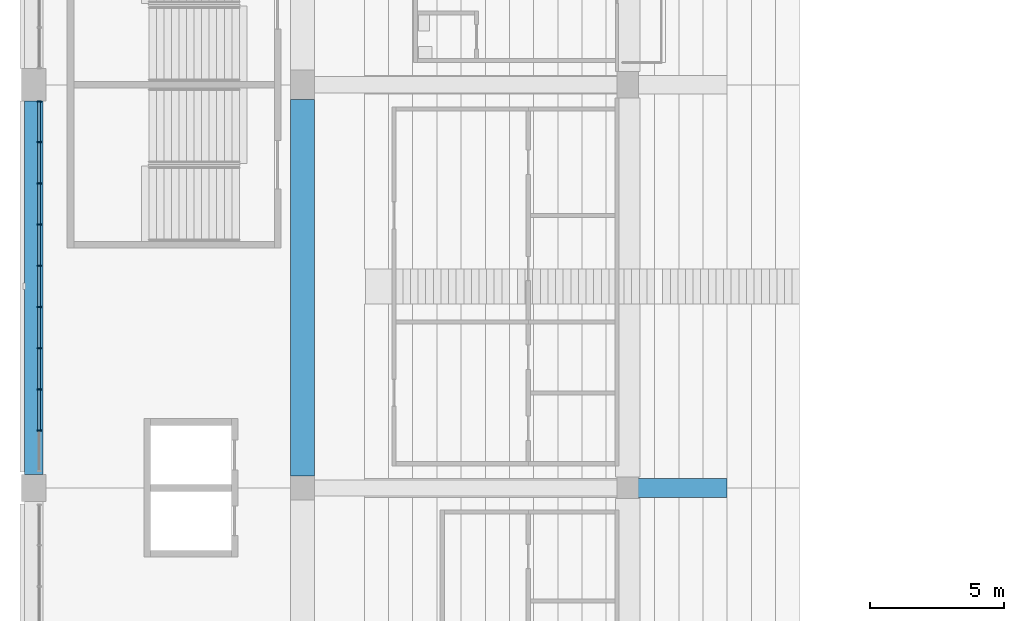
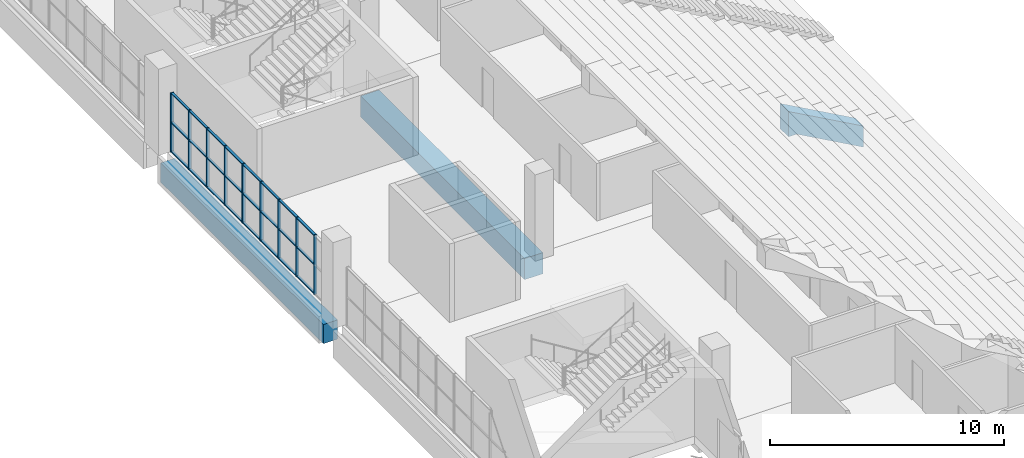
# One storey, part 23 of 249: 33 members, 3 beams, 1 element without a shape of its own.
"""IFC4 building model written with IfcOpenShell, lengths in metres."""

from ifc_helpers import new_model, si_unit, direction, frame, origin, origin_2d, place, context, subcontext, project, spatial, polyline, rectangle, outline, extrude, material, material_profile, profile_set, type_object, element, aggregate, save


model = new_model("IFC4")

# Units and contexts
model_context = context("Model", 3, precision=1e-05, world=origin(), true_north=direction((0.0, 1.0)))
body_context = subcontext(model_context, "Body", "Model", "MODEL_VIEW")
ifc_project = project(units=[si_unit("LENGTHUNIT", "METRE"), si_unit("AREAUNIT", "SQUARE_METRE"), si_unit("VOLUMEUNIT", "CUBIC_METRE"), si_unit("PLANEANGLEUNIT", "RADIAN"), si_unit("MASSUNIT", "GRAM", prefix="KILO")], contexts=[model_context])

# Site, building, storey
site_placement = place(None, origin())
site = spatial("IfcSite", under=ifc_project, at=site_placement, CompositionType="ELEMENT")
building_placement = place(site_placement, origin())
building = spatial("IfcBuilding", under=site, at=building_placement, Name="Ogive Plaza Stadium", CompositionType="ELEMENT")
storey_placement = place(building_placement, frame((0.0, 0.0, 13.5)))
storey = spatial("IfcBuildingStorey", under=building, at=storey_placement, Name="L03", CompositionType="ELEMENT", Elevation=13.5)

# Curtain wall, members
ifc_material_1 = material(Name="Bronze-anodised aluminium with laminated glass", Category="aluminium")
curtain_wall_type = type_object("IfcCurtainWallType", Name="Lancet curtain wall", PredefinedType="NOTDEFINED", material=ifc_material_1)
curtain_wall_placement = place(storey_placement, origin())
curtain_wall = element("IfcCurtainWall", 1, at=curtain_wall_placement, inside=storey, type_object=curtain_wall_type, Name="CURTAIN WALL B25 L03", PredefinedType="NOTDEFINED")
ifc_material_2 = material(Name="Bronze-anodised aluminium", Category="aluminium")
ifc_material_profile_1 = material_profile(ifc_material_2, rectangle(XDim=0.14990234375, YDim=0.050048828125, at=origin_2d()), Name="AL 150x50")
ifc_profile_set_1 = profile_set([ifc_material_profile_1], Name="Bronze-anodised aluminium")
member_type_1 = type_object("IfcMemberType", Name="Curtain wall mullion 50x150", PredefinedType="MULLION", material=ifc_profile_set_1)
member_1_placement = place(storey_placement, frame((-83.800048828125, 9.63330078125, 0.0), z_axis=(0.0, 0.0, 1.0), x_axis=(-1.0, 0.0, 0.0)))
member_1 = element("IfcMember", 2, at=member_1_placement, type_object=member_type_1, Name="CW-B25-L03 mullion 2", PredefinedType="MULLION", context=body_context, shape_type="SweptSolid", body=[
    extrude(rectangle(XDim=0.14990234375, YDim=0.050048828125, at=origin_2d()), origin(), (0.0, 0.0, 1.0), 3.090087890625),
])
member_2_placement = place(storey_placement, frame((-83.800048828125, 11.166748046875, 0.0), z_axis=(0.0, 0.0, 1.0), x_axis=(-1.0, 0.0, 0.0)))
member_2 = element("IfcMember", 3, at=member_2_placement, type_object=member_type_1, Name="CW-B25-L03 mullion 3", PredefinedType="MULLION", context=body_context, shape_type="SweptSolid", body=[
    extrude(rectangle(XDim=0.14990234375, YDim=0.050048828125, at=origin_2d()), origin(), (0.0, 0.0, 1.0), 3.090087890625),
])
member_3_placement = place(storey_placement, frame((-83.800048828125, 12.699951171875, 0.0), z_axis=(0.0, 0.0, 1.0), x_axis=(-1.0, 0.0, 0.0)))
member_3 = element("IfcMember", 4, at=member_3_placement, type_object=member_type_1, Name="CW-B25-L03 mullion 4", PredefinedType="MULLION", context=body_context, shape_type="SweptSolid", body=[
    extrude(rectangle(XDim=0.14990234375, YDim=0.050048828125, at=origin_2d()), origin(), (0.0, 0.0, 1.0), 3.090087890625),
])
member_4_placement = place(storey_placement, frame((-83.800048828125, 14.2333984375, 0.0), z_axis=(0.0, 0.0, 1.0), x_axis=(-1.0, 0.0, 0.0)))
member_4 = element("IfcMember", 5, at=member_4_placement, type_object=member_type_1, Name="CW-B25-L03 mullion 5", PredefinedType="MULLION", context=body_context, shape_type="SweptSolid", body=[
    extrude(rectangle(XDim=0.14990234375, YDim=0.050048828125, at=origin_2d()), origin(), (0.0, 0.0, 1.0), 3.090087890625),
])
member_5_placement = place(storey_placement, frame((-83.800048828125, 15.7666015625, 0.0), z_axis=(0.0, 0.0, 1.0), x_axis=(-1.0, 0.0, 0.0)))
member_5 = element("IfcMember", 6, at=member_5_placement, type_object=member_type_1, Name="CW-B25-L03 mullion 6", PredefinedType="MULLION", context=body_context, shape_type="SweptSolid", body=[
    extrude(rectangle(XDim=0.14990234375, YDim=0.050048828125, at=origin_2d()), origin(), (0.0, 0.0, 1.0), 3.090087890625),
])
member_6_placement = place(storey_placement, frame((-83.800048828125, 17.300048828125, 0.0), z_axis=(0.0, 0.0, 1.0), x_axis=(-1.0, 0.0, 0.0)))
member_6 = element("IfcMember", 7, at=member_6_placement, type_object=member_type_1, Name="CW-B25-L03 mullion 7", PredefinedType="MULLION", context=body_context, shape_type="SweptSolid", body=[
    extrude(rectangle(XDim=0.14990234375, YDim=0.050048828125, at=origin_2d()), origin(), (0.0, 0.0, 1.0), 3.090087890625),
])
member_7_placement = place(storey_placement, frame((-83.800048828125, 18.833251953125, 0.0), z_axis=(0.0, 0.0, 1.0), x_axis=(-1.0, 0.0, 0.0)))
member_7 = element("IfcMember", 8, at=member_7_placement, type_object=member_type_1, Name="CW-B25-L03 mullion 8", PredefinedType="MULLION", context=body_context, shape_type="SweptSolid", body=[
    extrude(rectangle(XDim=0.14990234375, YDim=0.050048828125, at=origin_2d()), origin(), (0.0, 0.0, 1.0), 3.090087890625),
])
member_8_placement = place(storey_placement, frame((-83.800048828125, 20.36669921875, 0.0), z_axis=(0.0, 0.0, 1.0), x_axis=(-1.0, 0.0, 0.0)))
member_8 = element("IfcMember", 9, at=member_8_placement, type_object=member_type_1, Name="CW-B25-L03 mullion 9", PredefinedType="MULLION", context=body_context, shape_type="SweptSolid", body=[
    extrude(rectangle(XDim=0.14990234375, YDim=0.050048828125, at=origin_2d()), origin(), (0.0, 0.0, 1.0), 3.090087890625),
])
member_9_placement = place(storey_placement, frame((-83.800048828125, 21.875, 0.0), z_axis=(0.0, 0.0, 1.0), x_axis=(-1.0, 0.0, 0.0)))
member_9 = element("IfcMember", 10, at=member_9_placement, type_object=member_type_1, Name="CW-B25-L03 mullion 10", PredefinedType="MULLION", context=body_context, shape_type="SweptSolid", body=[
    extrude(rectangle(XDim=0.14990234375, YDim=0.050048828125, at=origin_2d()), origin(), (0.0, 0.0, 1.0), 3.090087890625),
])
ifc_material_3 = material(Name="Bronze-anodised aluminium", Category="aluminium")
ifc_material_profile_2 = material_profile(ifc_material_3, rectangle(XDim=0.1201171875, YDim=0.050048828125, at=origin_2d()), Name="AL 120x50")
ifc_profile_set_2 = profile_set([ifc_material_profile_2], Name="Bronze-anodised aluminium")
member_type_2 = type_object("IfcMemberType", Name="Curtain wall transom 50x120", PredefinedType="USERDEFINED", material=ifc_profile_set_2)
member_10_placement = place(storey_placement, frame((-83.800048828125, 9.658447265625, 0.02490234375), z_axis=(0.0, 1.0, 0.0), x_axis=(-1.0, 0.0, 0.0)))
member_10 = element("IfcMember", 11, at=member_10_placement, type_object=member_type_2, Name="CW-B25-L03 transom 2.1", ObjectType="TRANSOM", PredefinedType="USERDEFINED", context=body_context, shape_type="SweptSolid", body=[
    extrude(rectangle(XDim=0.1201171875, YDim=0.050048828125, at=origin_2d()), origin(), (0.0, 0.0, 1.0), 1.483154296875),
])
member_11_placement = place(storey_placement, frame((-83.800048828125, 9.658447265625, 1.544921875), z_axis=(0.0, 1.0, 0.0), x_axis=(-1.0, 0.0, 0.0)))
member_11 = element("IfcMember", 12, at=member_11_placement, type_object=member_type_2, Name="CW-B25-L03 transom 2.2", ObjectType="TRANSOM", PredefinedType="USERDEFINED", context=body_context, shape_type="SweptSolid", body=[
    extrude(rectangle(XDim=0.1201171875, YDim=0.050048828125, at=origin_2d()), origin(), (0.0, 0.0, 1.0), 1.483154296875),
])
member_12_placement = place(storey_placement, frame((-83.800048828125, 9.658447265625, 3.06494140625), z_axis=(0.0, 1.0, 0.0), x_axis=(-1.0, 0.0, 0.0)))
member_12 = element("IfcMember", 13, at=member_12_placement, type_object=member_type_2, Name="CW-B25-L03 transom 2.3", ObjectType="TRANSOM", PredefinedType="USERDEFINED", context=body_context, shape_type="SweptSolid", body=[
    extrude(rectangle(XDim=0.1201171875, YDim=0.050048828125, at=origin_2d()), origin(), (0.0, 0.0, 1.0), 1.483154296875),
])
member_13_placement = place(storey_placement, frame((-83.800048828125, 11.191650390625, 0.02490234375), z_axis=(0.0, 1.0, 0.0), x_axis=(-1.0, 0.0, 0.0)))
member_13 = element("IfcMember", 14, at=member_13_placement, type_object=member_type_2, Name="CW-B25-L03 transom 3.1", ObjectType="TRANSOM", PredefinedType="USERDEFINED", context=body_context, shape_type="SweptSolid", body=[
    extrude(rectangle(XDim=0.1201171875, YDim=0.050048828125, at=origin_2d()), origin(), (0.0, 0.0, 1.0), 1.4833984375),
])
member_14_placement = place(storey_placement, frame((-83.800048828125, 11.191650390625, 1.544921875), z_axis=(0.0, 1.0, 0.0), x_axis=(-1.0, 0.0, 0.0)))
member_14 = element("IfcMember", 15, at=member_14_placement, type_object=member_type_2, Name="CW-B25-L03 transom 3.2", ObjectType="TRANSOM", PredefinedType="USERDEFINED", context=body_context, shape_type="SweptSolid", body=[
    extrude(rectangle(XDim=0.1201171875, YDim=0.050048828125, at=origin_2d()), origin(), (0.0, 0.0, 1.0), 1.4833984375),
])
member_15_placement = place(storey_placement, frame((-83.800048828125, 11.191650390625, 3.06494140625), z_axis=(0.0, 1.0, 0.0), x_axis=(-1.0, 0.0, 0.0)))
member_15 = element("IfcMember", 16, at=member_15_placement, type_object=member_type_2, Name="CW-B25-L03 transom 3.3", ObjectType="TRANSOM", PredefinedType="USERDEFINED", context=body_context, shape_type="SweptSolid", body=[
    extrude(rectangle(XDim=0.1201171875, YDim=0.050048828125, at=origin_2d()), origin(), (0.0, 0.0, 1.0), 1.4833984375),
])
member_16_placement = place(storey_placement, frame((-83.800048828125, 12.72509765625, 0.02490234375), z_axis=(0.0, 1.0, 0.0), x_axis=(-1.0, 0.0, 0.0)))
member_16 = element("IfcMember", 17, at=member_16_placement, type_object=member_type_2, Name="CW-B25-L03 transom 4.1", ObjectType="TRANSOM", PredefinedType="USERDEFINED", context=body_context, shape_type="SweptSolid", body=[
    extrude(rectangle(XDim=0.1201171875, YDim=0.050048828125, at=origin_2d()), origin(), (0.0, 0.0, 1.0), 1.483154296875),
])
member_17_placement = place(storey_placement, frame((-83.800048828125, 12.72509765625, 1.544921875), z_axis=(0.0, 1.0, 0.0), x_axis=(-1.0, 0.0, 0.0)))
member_17 = element("IfcMember", 18, at=member_17_placement, type_object=member_type_2, Name="CW-B25-L03 transom 4.2", ObjectType="TRANSOM", PredefinedType="USERDEFINED", context=body_context, shape_type="SweptSolid", body=[
    extrude(rectangle(XDim=0.1201171875, YDim=0.050048828125, at=origin_2d()), origin(), (0.0, 0.0, 1.0), 1.483154296875),
])
member_18_placement = place(storey_placement, frame((-83.800048828125, 12.72509765625, 3.06494140625), z_axis=(0.0, 1.0, 0.0), x_axis=(-1.0, 0.0, 0.0)))
member_18 = element("IfcMember", 19, at=member_18_placement, type_object=member_type_2, Name="CW-B25-L03 transom 4.3", ObjectType="TRANSOM", PredefinedType="USERDEFINED", context=body_context, shape_type="SweptSolid", body=[
    extrude(rectangle(XDim=0.1201171875, YDim=0.050048828125, at=origin_2d()), origin(), (0.0, 0.0, 1.0), 1.483154296875),
])
member_19_placement = place(storey_placement, frame((-83.800048828125, 14.25830078125, 0.02490234375), z_axis=(0.0, 1.0, 0.0), x_axis=(-1.0, 0.0, 0.0)))
member_19 = element("IfcMember", 20, at=member_19_placement, type_object=member_type_2, Name="CW-B25-L03 transom 5.1", ObjectType="TRANSOM", PredefinedType="USERDEFINED", context=body_context, shape_type="SweptSolid", body=[
    extrude(rectangle(XDim=0.1201171875, YDim=0.050048828125, at=origin_2d()), origin(), (0.0, 0.0, 1.0), 1.4833984375),
])
member_20_placement = place(storey_placement, frame((-83.800048828125, 14.25830078125, 1.544921875), z_axis=(0.0, 1.0, 0.0), x_axis=(-1.0, 0.0, 0.0)))
member_20 = element("IfcMember", 21, at=member_20_placement, type_object=member_type_2, Name="CW-B25-L03 transom 5.2", ObjectType="TRANSOM", PredefinedType="USERDEFINED", context=body_context, shape_type="SweptSolid", body=[
    extrude(rectangle(XDim=0.1201171875, YDim=0.050048828125, at=origin_2d()), origin(), (0.0, 0.0, 1.0), 1.4833984375),
])
member_21_placement = place(storey_placement, frame((-83.800048828125, 14.25830078125, 3.06494140625), z_axis=(0.0, 1.0, 0.0), x_axis=(-1.0, 0.0, 0.0)))
member_21 = element("IfcMember", 22, at=member_21_placement, type_object=member_type_2, Name="CW-B25-L03 transom 5.3", ObjectType="TRANSOM", PredefinedType="USERDEFINED", context=body_context, shape_type="SweptSolid", body=[
    extrude(rectangle(XDim=0.1201171875, YDim=0.050048828125, at=origin_2d()), origin(), (0.0, 0.0, 1.0), 1.4833984375),
])
member_22_placement = place(storey_placement, frame((-83.800048828125, 15.791748046875, 0.02490234375), z_axis=(0.0, 1.0, 0.0), x_axis=(-1.0, 0.0, 0.0)))
member_22 = element("IfcMember", 23, at=member_22_placement, type_object=member_type_2, Name="CW-B25-L03 transom 6.1", ObjectType="TRANSOM", PredefinedType="USERDEFINED", context=body_context, shape_type="SweptSolid", body=[
    extrude(rectangle(XDim=0.1201171875, YDim=0.050048828125, at=origin_2d()), origin(), (0.0, 0.0, 1.0), 1.483154296875),
])
member_23_placement = place(storey_placement, frame((-83.800048828125, 15.791748046875, 1.544921875), z_axis=(0.0, 1.0, 0.0), x_axis=(-1.0, 0.0, 0.0)))
member_23 = element("IfcMember", 24, at=member_23_placement, type_object=member_type_2, Name="CW-B25-L03 transom 6.2", ObjectType="TRANSOM", PredefinedType="USERDEFINED", context=body_context, shape_type="SweptSolid", body=[
    extrude(rectangle(XDim=0.1201171875, YDim=0.050048828125, at=origin_2d()), origin(), (0.0, 0.0, 1.0), 1.483154296875),
])
member_24_placement = place(storey_placement, frame((-83.800048828125, 15.791748046875, 3.06494140625), z_axis=(0.0, 1.0, 0.0), x_axis=(-1.0, 0.0, 0.0)))
member_24 = element("IfcMember", 25, at=member_24_placement, type_object=member_type_2, Name="CW-B25-L03 transom 6.3", ObjectType="TRANSOM", PredefinedType="USERDEFINED", context=body_context, shape_type="SweptSolid", body=[
    extrude(rectangle(XDim=0.1201171875, YDim=0.050048828125, at=origin_2d()), origin(), (0.0, 0.0, 1.0), 1.483154296875),
])
member_25_placement = place(storey_placement, frame((-83.800048828125, 17.324951171875, 0.02490234375), z_axis=(0.0, 1.0, 0.0), x_axis=(-1.0, 0.0, 0.0)))
member_25 = element("IfcMember", 26, at=member_25_placement, type_object=member_type_2, Name="CW-B25-L03 transom 7.1", ObjectType="TRANSOM", PredefinedType="USERDEFINED", context=body_context, shape_type="SweptSolid", body=[
    extrude(rectangle(XDim=0.1201171875, YDim=0.050048828125, at=origin_2d()), origin(), (0.0, 0.0, 1.0), 1.4833984375),
])
member_26_placement = place(storey_placement, frame((-83.800048828125, 17.324951171875, 1.544921875), z_axis=(0.0, 1.0, 0.0), x_axis=(-1.0, 0.0, 0.0)))
member_26 = element("IfcMember", 27, at=member_26_placement, type_object=member_type_2, Name="CW-B25-L03 transom 7.2", ObjectType="TRANSOM", PredefinedType="USERDEFINED", context=body_context, shape_type="SweptSolid", body=[
    extrude(rectangle(XDim=0.1201171875, YDim=0.050048828125, at=origin_2d()), origin(), (0.0, 0.0, 1.0), 1.4833984375),
])
member_27_placement = place(storey_placement, frame((-83.800048828125, 17.324951171875, 3.06494140625), z_axis=(0.0, 1.0, 0.0), x_axis=(-1.0, 0.0, 0.0)))
member_27 = element("IfcMember", 28, at=member_27_placement, type_object=member_type_2, Name="CW-B25-L03 transom 7.3", ObjectType="TRANSOM", PredefinedType="USERDEFINED", context=body_context, shape_type="SweptSolid", body=[
    extrude(rectangle(XDim=0.1201171875, YDim=0.050048828125, at=origin_2d()), origin(), (0.0, 0.0, 1.0), 1.4833984375),
])
member_28_placement = place(storey_placement, frame((-83.800048828125, 18.8583984375, 0.02490234375), z_axis=(0.0, 1.0, 0.0), x_axis=(-1.0, 0.0, 0.0)))
member_28 = element("IfcMember", 29, at=member_28_placement, type_object=member_type_2, Name="CW-B25-L03 transom 8.1", ObjectType="TRANSOM", PredefinedType="USERDEFINED", context=body_context, shape_type="SweptSolid", body=[
    extrude(rectangle(XDim=0.1201171875, YDim=0.050048828125, at=origin_2d()), origin(), (0.0, 0.0, 1.0), 1.483154296875),
])
member_29_placement = place(storey_placement, frame((-83.800048828125, 18.8583984375, 1.544921875), z_axis=(0.0, 1.0, 0.0), x_axis=(-1.0, 0.0, 0.0)))
member_29 = element("IfcMember", 30, at=member_29_placement, type_object=member_type_2, Name="CW-B25-L03 transom 8.2", ObjectType="TRANSOM", PredefinedType="USERDEFINED", context=body_context, shape_type="SweptSolid", body=[
    extrude(rectangle(XDim=0.1201171875, YDim=0.050048828125, at=origin_2d()), origin(), (0.0, 0.0, 1.0), 1.483154296875),
])
member_30_placement = place(storey_placement, frame((-83.800048828125, 18.8583984375, 3.06494140625), z_axis=(0.0, 1.0, 0.0), x_axis=(-1.0, 0.0, 0.0)))
member_30 = element("IfcMember", 31, at=member_30_placement, type_object=member_type_2, Name="CW-B25-L03 transom 8.3", ObjectType="TRANSOM", PredefinedType="USERDEFINED", context=body_context, shape_type="SweptSolid", body=[
    extrude(rectangle(XDim=0.1201171875, YDim=0.050048828125, at=origin_2d()), origin(), (0.0, 0.0, 1.0), 1.483154296875),
])
member_31_placement = place(storey_placement, frame((-83.800048828125, 20.3916015625, 0.02490234375), z_axis=(0.0, 1.0, 0.0), x_axis=(-1.0, 0.0, 0.0)))
member_31 = element("IfcMember", 32, at=member_31_placement, type_object=member_type_2, Name="CW-B25-L03 transom 9.1", ObjectType="TRANSOM", PredefinedType="USERDEFINED", context=body_context, shape_type="SweptSolid", body=[
    extrude(rectangle(XDim=0.1201171875, YDim=0.050048828125, at=origin_2d()), origin(), (0.0, 0.0, 1.0), 1.45849609375),
])
member_32_placement = place(storey_placement, frame((-83.800048828125, 20.3916015625, 1.544921875), z_axis=(0.0, 1.0, 0.0), x_axis=(-1.0, 0.0, 0.0)))
member_32 = element("IfcMember", 33, at=member_32_placement, type_object=member_type_2, Name="CW-B25-L03 transom 9.2", ObjectType="TRANSOM", PredefinedType="USERDEFINED", context=body_context, shape_type="SweptSolid", body=[
    extrude(rectangle(XDim=0.1201171875, YDim=0.050048828125, at=origin_2d()), origin(), (0.0, 0.0, 1.0), 1.45849609375),
])
member_33_placement = place(storey_placement, frame((-83.800048828125, 20.3916015625, 3.06494140625), z_axis=(0.0, 1.0, 0.0), x_axis=(-1.0, 0.0, 0.0)))
member_33 = element("IfcMember", 34, at=member_33_placement, type_object=member_type_2, Name="CW-B25-L03 transom 9.3", ObjectType="TRANSOM", PredefinedType="USERDEFINED", context=body_context, shape_type="SweptSolid", body=[
    extrude(rectangle(XDim=0.1201171875, YDim=0.050048828125, at=origin_2d()), origin(), (0.0, 0.0, 1.0), 1.45849609375),
])
aggregate(curtain_wall, [member_1, member_2, member_3, member_4, member_5, member_6, member_7, member_8, member_9, member_10, member_11, member_12, member_13, member_14, member_15, member_16, member_17, member_18, member_19, member_20, member_21, member_22, member_23, member_24, member_25, member_26, member_27, member_28, member_29, member_30, member_31, member_32, member_33])

# Beams
ifc_material_4 = material(Name="Concrete C45/55 precast", Category="concrete")
ifc_material_profile_3 = material_profile(ifc_material_4, rectangle(XDim=0.699951171875, YDim=1.10009765625, at=origin_2d()), Name="RC 700x1100")
ifc_profile_set_3 = profile_set([ifc_material_profile_3], Name="Concrete C45/55 precast")
beam_type_1 = type_object("IfcBeamType", Name="Precast raker UT cantilever 700x1100", PredefinedType="USERDEFINED", material=ifc_profile_set_3)
beam_1_placement = place(storey_placement, frame((-34.0, 7.5, -13.5), z_axis=(0.0, 0.0, 1.0), x_axis=(-1.0, 0.0, 0.0)))
element("IfcBeam", 35, at=beam_1_placement, inside=storey, type_object=beam_type_1, Name="RAKER UT CANTILEVER R25", ObjectType="RAKER", PredefinedType="USERDEFINED", context=body_context, shape_type="SweptSolid", body=[
    extrude(outline(polyline([(24.199951171875, 13.699951171875), (27.5, 15.533203125), (27.89990234375, 15.533203125), (27.89990234375, 16.855712890625), (24.199951171875, 14.800048828125), (24.199951171875, 13.699951171875)])), frame((0.0, 0.35009765625, 0.0), z_axis=(0.0, -1.0, 0.0), x_axis=(1.0, 0.0, 0.0)), (0.0, 0.0, 1.0), 0.699951171875),
])
ifc_material_5 = material(Name="Concrete C40/50", Category="concrete")
ifc_material_profile_4 = material_profile(ifc_material_5, rectangle(XDim=0.89990234375, YDim=1.10009765625, at=origin_2d()), Name="RC 900x1100")
ifc_profile_set_4 = profile_set([ifc_material_profile_4], Name="Concrete C40/50")
beam_type_2 = type_object("IfcBeamType", Name="RC ring beam 900x1100", PredefinedType="BEAM", material=ifc_profile_set_4)
beam_2_placement = place(storey_placement, frame((-74.0, 7.949951171875, -0.9599609375), z_axis=(0.0, 1.0, 0.0), x_axis=(-1.0, 0.0, 0.0)))
element("IfcBeam", 36, at=beam_2_placement, inside=storey, type_object=beam_type_2, Name="Ring beam F4 L03 B25", PredefinedType="BEAM", context=body_context, shape_type="SweptSolid", body=[
    extrude(rectangle(XDim=0.89990234375, YDim=1.10009765625, at=origin_2d()), origin(), (0.0, 0.0, 1.0), 14.0),
])
ifc_material_6 = material(Name="Concrete C40/50", Category="concrete")
ifc_material_profile_5 = material_profile(ifc_material_6, rectangle(XDim=0.699951171875, YDim=1.0, at=origin_2d()), Name="RC 700x1000")
ifc_profile_set_5 = profile_set([ifc_material_profile_5], Name="Concrete C40/50")
beam_type_3 = type_object("IfcBeamType", Name="RC spandrel beam 700x1000", PredefinedType="SPANDREL", material=ifc_profile_set_5)
beam_3_placement = place(storey_placement, frame((-84.0, 8.0, -0.909912109375), z_axis=(0.0, 1.0, 0.0), x_axis=(-1.0, 0.0, 0.0)))
element("IfcBeam", 37, at=beam_3_placement, inside=storey, type_object=beam_type_3, Name="Ring beam F5 L03 B25", PredefinedType="SPANDREL", context=body_context, shape_type="SweptSolid", body=[
    extrude(rectangle(XDim=0.699951171875, YDim=1.0, at=origin_2d()), origin(), (0.0, 0.0, 1.0), 13.89990234375),
])

save(model, "model.ifc")
